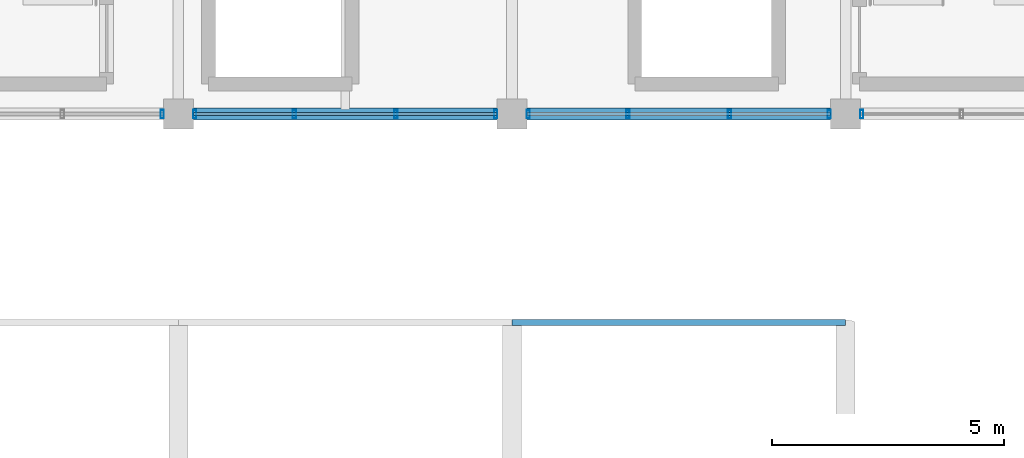
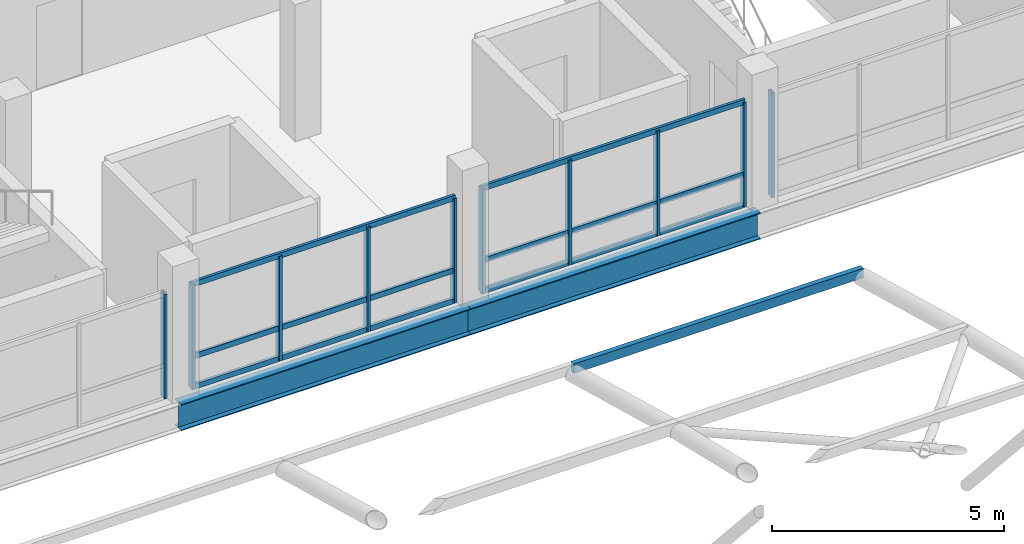
# One storey, part 35 of 96: 17 members, 2 beams, 4 elements without a shape of their own.
"""IFC4 building model written with IfcOpenShell, lengths in metres."""

from ifc_helpers import new_model, si_unit, direction, frame, origin, origin_2d, place, context, subcontext, project, spatial, hollow_rectangle, i_section, extrude, material, material_profile, profile_set, type_object, element, aggregate, save


model = new_model("IFC4")

# Units and contexts
model_context = context("Model", 3, precision=1e-05, world=origin(), true_north=direction((0.0, 1.0)))
body_context = subcontext(model_context, "Body", "Model", "MODEL_VIEW")
ifc_project = project(units=[si_unit("LENGTHUNIT", "METRE"), si_unit("AREAUNIT", "SQUARE_METRE"), si_unit("VOLUMEUNIT", "CUBIC_METRE"), si_unit("PLANEANGLEUNIT", "RADIAN"), si_unit("MASSUNIT", "GRAM", prefix="KILO")], contexts=[model_context])

# Site, building, storey
site_placement = place(None, origin())
site = spatial("IfcSite", under=ifc_project, at=site_placement, CompositionType="ELEMENT")
building_placement = place(site_placement, origin())
building = spatial("IfcBuilding", under=site, at=building_placement, Name="Yarey Park Central Fire Station", CompositionType="ELEMENT")
storey_placement = place(building_placement, frame((0.0, 0.0, 14.39990234375)))
storey = spatial("IfcBuildingStorey", under=building, at=storey_placement, Name="L04", CompositionType="ELEMENT", Elevation=14.39990234375)

# Curtain wall, member
ifc_material_1 = material(Name="Anodized Aluminium Frame", Category="aluminium")
curtain_wall_type = type_object("IfcCurtainWallType", Name="ENV_CW_HQ_L04", PredefinedType="NOTDEFINED", material=ifc_material_1)
curtain_wall_1_placement = place(storey_placement, origin())
curtain_wall_1 = element("IfcCurtainWall", 1, at=curtain_wall_1_placement, inside=storey, type_object=curtain_wall_type, Name="CW_L04_V4_S_1", PredefinedType="NOTDEFINED")
ifc_material_profile_1 = material_profile(ifc_material_1, hollow_rectangle(XDim=0.070068359375, YDim=0.179931640625, WallThickness=0.00390625, at=origin_2d()), Name="ALU 180x70x4")
ifc_profile_set_1 = profile_set([ifc_material_profile_1], Name="Anodized Aluminium Frame")
member_type_1 = type_object("IfcMemberType", Name="ENV_CW_MULLION", PredefinedType="MULLION", material=ifc_profile_set_1)
member_1_placement = place(storey_placement, frame((122.050048828125, 93.60009765625, 0.0), z_axis=(0.0, 0.0, 1.0), x_axis=(1.0, 0.0, 0.0)))
member_1 = element("IfcMember", 2, at=member_1_placement, type_object=member_type_1, Name="CW_L04_V4_S_1_MUL4", PredefinedType="MULLION", context=body_context, shape_type="SweptSolid", body=[
    extrude(hollow_rectangle(XDim=0.070068359375, YDim=0.179931640625, WallThickness=0.00390625, at=origin_2d()), origin(), (0.0, 0.0, 1.0), 2.75),
])
aggregate(curtain_wall_1, [member_1])

# Curtain wall, members
curtain_wall_2_placement = place(storey_placement, origin())
curtain_wall_2 = element("IfcCurtainWall", 3, at=curtain_wall_2_placement, inside=storey, type_object=curtain_wall_type, Name="CW_L04_V4_S_2", PredefinedType="NOTDEFINED")
member_2_placement = place(storey_placement, frame((122.75, 93.60009765625, 0.0), z_axis=(0.0, 0.0, 1.0), x_axis=(1.0, 0.0, 0.0)))
member_2 = element("IfcMember", 4, at=member_2_placement, type_object=member_type_1, Name="CW_L04_V4_S_2_MUL1", PredefinedType="MULLION", context=body_context, shape_type="SweptSolid", body=[
    extrude(hollow_rectangle(XDim=0.070068359375, YDim=0.179931640625, WallThickness=0.00390625, at=origin_2d()), origin(), (0.0, 0.0, 1.0), 2.75),
])
member_3_placement = place(storey_placement, frame((124.9033203125, 93.60009765625, 0.0), z_axis=(0.0, 0.0, 1.0), x_axis=(1.0, 0.0, 0.0)))
member_3 = element("IfcMember", 5, at=member_3_placement, type_object=member_type_1, Name="CW_L04_V4_S_2_MUL2", PredefinedType="MULLION", context=body_context, shape_type="SweptSolid", body=[
    extrude(hollow_rectangle(XDim=0.070068359375, YDim=0.179931640625, WallThickness=0.00390625, at=origin_2d()), origin(), (0.0, 0.0, 1.0), 2.75),
])
member_4_placement = place(storey_placement, frame((127.0966796875, 93.60009765625, 0.0), z_axis=(0.0, 0.0, 1.0), x_axis=(1.0, 0.0, 0.0)))
member_4 = element("IfcMember", 6, at=member_4_placement, type_object=member_type_1, Name="CW_L04_V4_S_2_MUL3", PredefinedType="MULLION", context=body_context, shape_type="SweptSolid", body=[
    extrude(hollow_rectangle(XDim=0.070068359375, YDim=0.179931640625, WallThickness=0.00390625, at=origin_2d()), origin(), (0.0, 0.0, 1.0), 2.75),
])
member_5_placement = place(storey_placement, frame((129.25, 93.60009765625, 0.0), z_axis=(0.0, 0.0, 1.0), x_axis=(1.0, 0.0, 0.0)))
member_5 = element("IfcMember", 7, at=member_5_placement, type_object=member_type_1, Name="CW_L04_V4_S_2_MUL4", PredefinedType="MULLION", context=body_context, shape_type="SweptSolid", body=[
    extrude(hollow_rectangle(XDim=0.070068359375, YDim=0.179931640625, WallThickness=0.00390625, at=origin_2d()), origin(), (0.0, 0.0, 1.0), 2.75),
])

curtain_wall_3_placement = place(storey_placement, origin())
curtain_wall_3 = element("IfcCurtainWall", 8, at=curtain_wall_3_placement, inside=storey, type_object=curtain_wall_type, Name="CW_L04_V4_S_3", PredefinedType="NOTDEFINED")
member_6_placement = place(storey_placement, frame((129.949951171875, 93.60009765625, 0.0), z_axis=(0.0, 0.0, 1.0), x_axis=(1.0, 0.0, 0.0)))
member_6 = element("IfcMember", 9, at=member_6_placement, type_object=member_type_1, Name="CW_L04_V4_S_3_MUL1", PredefinedType="MULLION", context=body_context, shape_type="SweptSolid", body=[
    extrude(hollow_rectangle(XDim=0.070068359375, YDim=0.179931640625, WallThickness=0.00390625, at=origin_2d()), origin(), (0.0, 0.0, 1.0), 2.75),
])
member_7_placement = place(storey_placement, frame((132.103271484375, 93.60009765625, 0.0), z_axis=(0.0, 0.0, 1.0), x_axis=(1.0, 0.0, 0.0)))
member_7 = element("IfcMember", 10, at=member_7_placement, type_object=member_type_1, Name="CW_L04_V4_S_3_MUL2", PredefinedType="MULLION", context=body_context, shape_type="SweptSolid", body=[
    extrude(hollow_rectangle(XDim=0.070068359375, YDim=0.179931640625, WallThickness=0.00390625, at=origin_2d()), origin(), (0.0, 0.0, 1.0), 2.75),
])
member_8_placement = place(storey_placement, frame((134.296630859375, 93.60009765625, 0.0), z_axis=(0.0, 0.0, 1.0), x_axis=(1.0, 0.0, 0.0)))
member_8 = element("IfcMember", 11, at=member_8_placement, type_object=member_type_1, Name="CW_L04_V4_S_3_MUL3", PredefinedType="MULLION", context=body_context, shape_type="SweptSolid", body=[
    extrude(hollow_rectangle(XDim=0.070068359375, YDim=0.179931640625, WallThickness=0.00390625, at=origin_2d()), origin(), (0.0, 0.0, 1.0), 2.75),
])
member_9_placement = place(storey_placement, frame((136.449951171875, 93.60009765625, 0.0), z_axis=(0.0, 0.0, 1.0), x_axis=(1.0, 0.0, 0.0)))
member_9 = element("IfcMember", 12, at=member_9_placement, type_object=member_type_1, Name="CW_L04_V4_S_3_MUL4", PredefinedType="MULLION", context=body_context, shape_type="SweptSolid", body=[
    extrude(hollow_rectangle(XDim=0.070068359375, YDim=0.179931640625, WallThickness=0.00390625, at=origin_2d()), origin(), (0.0, 0.0, 1.0), 2.75),
])

# Curtain wall, member
curtain_wall_4_placement = place(storey_placement, origin())
curtain_wall_4 = element("IfcCurtainWall", 13, at=curtain_wall_4_placement, inside=storey, type_object=curtain_wall_type, Name="CW_L04_V4_S_4", PredefinedType="NOTDEFINED")
member_10_placement = place(storey_placement, frame((137.14990234375, 93.60009765625, 0.0), z_axis=(0.0, 0.0, 1.0), x_axis=(1.0, 0.0, 0.0)))
member_10 = element("IfcMember", 14, at=member_10_placement, type_object=member_type_1, Name="CW_L04_V4_S_4_MUL1", PredefinedType="MULLION", context=body_context, shape_type="SweptSolid", body=[
    extrude(hollow_rectangle(XDim=0.070068359375, YDim=0.179931640625, WallThickness=0.00390625, at=origin_2d()), origin(), (0.0, 0.0, 1.0), 2.75),
])
aggregate(curtain_wall_4, [member_10])

# Member
ifc_material_profile_2 = material_profile(ifc_material_1, hollow_rectangle(XDim=0.070068359375, YDim=0.139892578125, WallThickness=0.00390625, at=origin_2d()), Name="ALU 140x70x4")
ifc_profile_set_2 = profile_set([ifc_material_profile_2], Name="Anodized Aluminium Frame")
member_type_2 = type_object("IfcMemberType", Name="ENV_CW_TRANSOM", PredefinedType="USERDEFINED", material=ifc_profile_set_2)
member_11_placement = place(storey_placement, frame((122.72509765625, 93.60009765625, 0.025146484375), z_axis=(1.0, 0.0, 0.0), x_axis=(0.0, 1.0, 0.0)))
member_11 = element("IfcMember", 15, at=member_11_placement, type_object=member_type_2, Name="CW_L04_V4_S_2_TRN1", ObjectType="TRANSOM", PredefinedType="USERDEFINED", context=body_context, shape_type="SweptSolid", body=[
    extrude(hollow_rectangle(XDim=0.070068359375, YDim=0.139892578125, WallThickness=0.00390625, at=origin_2d()), origin(), (0.0, 0.0, 1.0), 6.5498046875),
])

member_12_placement = place(storey_placement, frame((122.72509765625, 93.60009765625, 0.8251953125), z_axis=(1.0, 0.0, 0.0), x_axis=(0.0, 1.0, 0.0)))
member_12 = element("IfcMember", 16, at=member_12_placement, type_object=member_type_2, Name="CW_L04_V4_S_2_TRN2", ObjectType="TRANSOM", PredefinedType="USERDEFINED", context=body_context, shape_type="SweptSolid", body=[
    extrude(hollow_rectangle(XDim=0.070068359375, YDim=0.139892578125, WallThickness=0.00390625, at=origin_2d()), origin(), (0.0, 0.0, 1.0), 6.5498046875),
])

member_13_placement = place(storey_placement, frame((122.72509765625, 93.60009765625, 2.72509765625), z_axis=(1.0, 0.0, 0.0), x_axis=(0.0, 1.0, 0.0)))
member_13 = element("IfcMember", 17, at=member_13_placement, type_object=member_type_2, Name="CW_L04_V4_S_2_TRN3", ObjectType="TRANSOM", PredefinedType="USERDEFINED", context=body_context, shape_type="SweptSolid", body=[
    extrude(hollow_rectangle(XDim=0.070068359375, YDim=0.139892578125, WallThickness=0.00390625, at=origin_2d()), origin(), (0.0, 0.0, 1.0), 6.5498046875),
])

aggregate(curtain_wall_2, [member_2, member_3, member_4, member_5, member_11, member_12, member_13])

member_14_placement = place(storey_placement, frame((129.925048828125, 93.60009765625, 0.025146484375), z_axis=(1.0, 0.0, 0.0), x_axis=(0.0, 1.0, 0.0)))
member_14 = element("IfcMember", 18, at=member_14_placement, type_object=member_type_2, Name="CW_L04_V4_S_3_TRN1", ObjectType="TRANSOM", PredefinedType="USERDEFINED", context=body_context, shape_type="SweptSolid", body=[
    extrude(hollow_rectangle(XDim=0.070068359375, YDim=0.139892578125, WallThickness=0.00390625, at=origin_2d()), origin(), (0.0, 0.0, 1.0), 6.550048828125),
])

member_15_placement = place(storey_placement, frame((129.925048828125, 93.60009765625, 0.8251953125), z_axis=(1.0, 0.0, 0.0), x_axis=(0.0, 1.0, 0.0)))
member_15 = element("IfcMember", 19, at=member_15_placement, type_object=member_type_2, Name="CW_L04_V4_S_3_TRN2", ObjectType="TRANSOM", PredefinedType="USERDEFINED", context=body_context, shape_type="SweptSolid", body=[
    extrude(hollow_rectangle(XDim=0.070068359375, YDim=0.139892578125, WallThickness=0.00390625, at=origin_2d()), origin(), (0.0, 0.0, 1.0), 6.550048828125),
])

member_16_placement = place(storey_placement, frame((129.925048828125, 93.60009765625, 2.72509765625), z_axis=(1.0, 0.0, 0.0), x_axis=(0.0, 1.0, 0.0)))
member_16 = element("IfcMember", 20, at=member_16_placement, type_object=member_type_2, Name="CW_L04_V4_S_3_TRN3", ObjectType="TRANSOM", PredefinedType="USERDEFINED", context=body_context, shape_type="SweptSolid", body=[
    extrude(hollow_rectangle(XDim=0.070068359375, YDim=0.139892578125, WallThickness=0.00390625, at=origin_2d()), origin(), (0.0, 0.0, 1.0), 6.550048828125),
])

aggregate(curtain_wall_3, [member_6, member_7, member_8, member_9, member_14, member_15, member_16])

# Beams
ifc_material_2 = material(Name="Steel ASTM A992 Gr. 50", Category="steel")
ifc_material_profile_3 = material_profile(ifc_material_2, i_section(OverallWidth=0.256103515625, OverallDepth=0.693115234375, WebThickness=0.014404296875, FlangeThickness=0.023681640625, at=origin_2d()), Name="W690x170")
ifc_profile_set_3 = profile_set([ifc_material_profile_3], Name="Steel ASTM A992 Gr. 50")
beam_type = type_object("IfcBeamType", Name="STR_BM_W690", PredefinedType="BEAM", material=ifc_profile_set_3)
beam_1_placement = place(storey_placement, frame((122.39990234375, 93.60009765625, -0.596435546875), z_axis=(1.0, 0.0, 0.0), x_axis=(0.0, 1.0, 0.0)))
element("IfcBeam", 21, at=beam_1_placement, inside=storey, type_object=beam_type, Name="BMX L04 Y936 X1224", PredefinedType="BEAM", context=body_context, shape_type="SweptSolid", body=[
    extrude(i_section(OverallWidth=0.256103515625, OverallDepth=0.693115234375, WebThickness=0.014404296875, FlangeThickness=0.023681640625, at=origin_2d()), origin(), (0.0, 0.0, 1.0), 7.2001953125),
])
beam_2_placement = place(storey_placement, frame((129.60009765625, 93.60009765625, -0.596435546875), z_axis=(1.0, 0.0, 0.0), x_axis=(0.0, 1.0, 0.0)))
element("IfcBeam", 22, at=beam_2_placement, inside=storey, type_object=beam_type, Name="BMX L04 Y936 X1296", PredefinedType="BEAM", context=body_context, shape_type="SweptSolid", body=[
    extrude(i_section(OverallWidth=0.256103515625, OverallDepth=0.693115234375, WebThickness=0.014404296875, FlangeThickness=0.023681640625, at=origin_2d()), origin(), (0.0, 0.0, 1.0), 7.199951171875),
])

# Member
ifc_material_3 = material(Name="Steel ASTM A500 Gr. C", Category="steel")
ifc_material_profile_4 = material_profile(ifc_material_3, hollow_rectangle(XDim=0.125, YDim=0.25, WallThickness=0.008056640625, at=origin_2d()), Name="HSS 250x125x8")
ifc_profile_set_4 = profile_set([ifc_material_profile_4], Name="Steel ASTM A500 Gr. C")
member_type_3 = type_object("IfcMemberType", Name="STR_GIRT_HSS250", PredefinedType="PURLIN", material=ifc_profile_set_4)
member_17_placement = place(storey_placement, frame((129.60009765625, 89.10009765625, 0.856689453125), z_axis=(1.0, 0.0, 0.0), x_axis=(0.0, 1.0, 0.0)))
element("IfcMember", 23, at=member_17_placement, inside=storey, type_object=member_type_3, Name="PUR_ARCH_B11_8", PredefinedType="PURLIN", context=body_context, shape_type="SweptSolid", body=[
    extrude(hollow_rectangle(XDim=0.125, YDim=0.25, WallThickness=0.008056640625, at=origin_2d()), origin(), (0.0, 0.0, 1.0), 7.199951171875),
])

save(model, "model.ifc")
